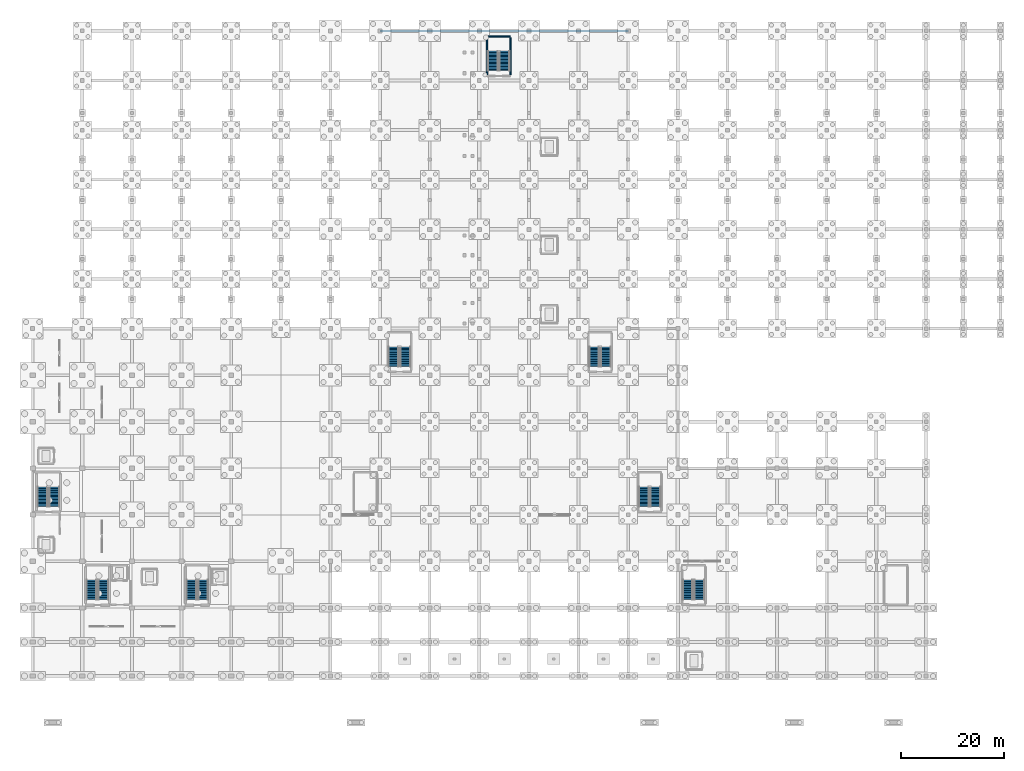
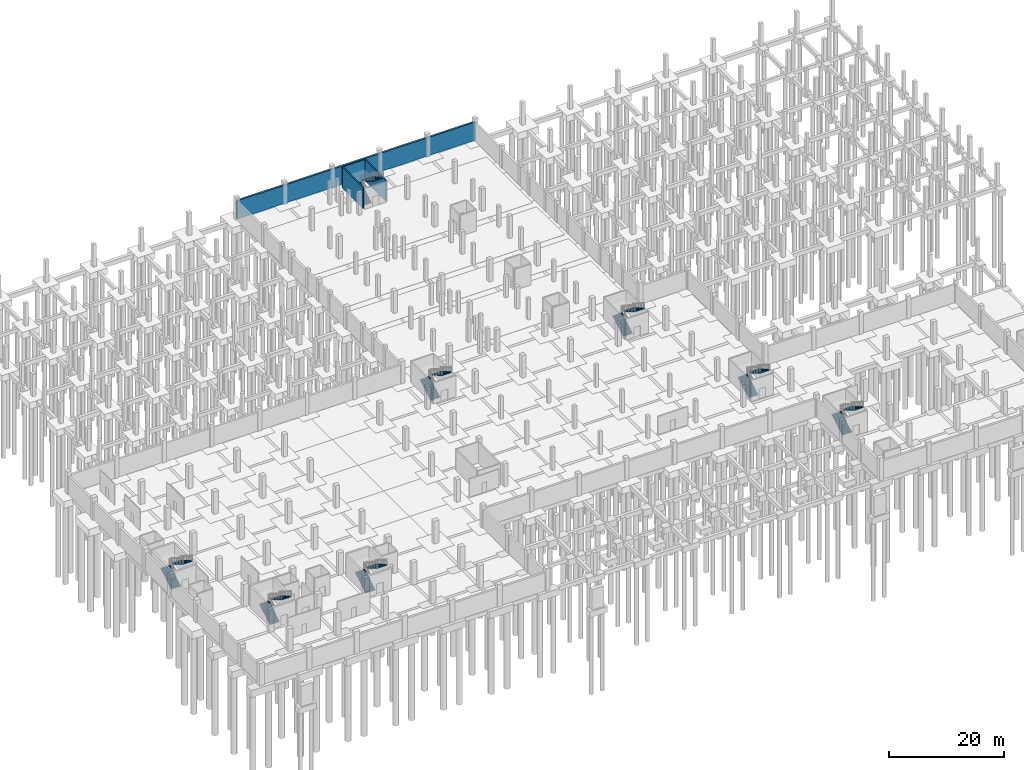
# One storey, part 32 of 39: 16 stair flights, 4 walls, 8 elements without a shape of their own.
"""IFC4 building model written with IfcOpenShell, lengths in metres."""

from ifc_helpers import new_model, si_unit, direction, frame, frame_2d, origin, place, context, subcontext, project, spatial, polyline, rectangle, outline, extrude, material, layer, layer_set, type_object, element, aggregate, save


model = new_model("IFC4")

# Units and contexts
model_context = context("Model", 3, precision=1e-05, world=origin(), true_north=direction((0.0, 1.0)))
body_context = subcontext(model_context, "Body", "Model", "MODEL_VIEW")
ifc_project = project(units=[si_unit("LENGTHUNIT", "METRE"), si_unit("AREAUNIT", "SQUARE_METRE"), si_unit("VOLUMEUNIT", "CUBIC_METRE"), si_unit("PLANEANGLEUNIT", "RADIAN"), si_unit("MASSUNIT", "GRAM", prefix="KILO")], contexts=[model_context])

# Site, building, storey
site_placement = place(None, origin())
site = spatial("IfcSite", under=ifc_project, at=site_placement, CompositionType="ELEMENT")
building_placement = place(site_placement, origin())
building = spatial("IfcBuilding", under=site, at=building_placement, Name="Zarnetskaya Central Station", CompositionType="ELEMENT")
storey_placement = place(building_placement, frame((0.0, 0.0, -4.800048828125)))
storey = spatial("IfcBuildingStorey", under=building, at=storey_placement, Name="B1", CompositionType="ELEMENT", Elevation=-4.800048828125)

# Walls
ifc_material_1 = material(Name="Concrete C35/45", Category="concrete")
ifc_layer_1 = layer(ifc_material_1, 0.39990234375, Name="Concrete C35/45", Category="concrete")
ifc_layer_set_1 = layer_set([ifc_layer_1], Name="Concrete C35/45")
wall_type_1 = type_object("IfcWallType", Name="WALL-RET-400", PredefinedType="USERDEFINED", material=ifc_layer_set_1)
wall_1_placement = place(storey_placement, frame((67.199951171875, 124.800048828125, 0.0), z_axis=(0.0, 0.0, 1.0), x_axis=(1.0, 0.0, 0.0)))
element("IfcWall", 1, at=wall_1_placement, inside=storey, type_object=wall_type_1, Name="Basement perimeter retaining wall 04", ObjectType="RETAININGWALL", PredefinedType="USERDEFINED", context=body_context, shape_type="SweptSolid", body=[
    extrude(rectangle(XDim=48.0, YDim=0.39990234375, at=frame_2d((24.0, 0.0))), origin(), (0.0, 0.0, 1.0), 3.880126953125),
])
ifc_layer_2 = layer(ifc_material_1, 0.239990234375, Name="Concrete C35/45", Category="concrete")
ifc_layer_set_2 = layer_set([ifc_layer_2], Name="Concrete C35/45")
wall_type_2 = type_object("IfcWallType", Name="WALL-SHFT-240", PredefinedType="SHEAR", material=ifc_layer_set_2)
wall_2_placement = place(storey_placement, frame((87.8798828125, 123.719970703125, 0.0), z_axis=(0.0, 0.0, 1.0), x_axis=(1.0, 0.0, 0.0)))
element("IfcWall", 2, at=wall_2_placement, inside=storey, type_object=wall_type_2, Name="Core shear wall WSTR-B1-0318", PredefinedType="SHEAR", context=body_context, shape_type="SweptSolid", body=[
    extrude(rectangle(XDim=4.5400390625, YDim=0.239990234375, at=frame_2d((2.27001953125, 0.0))), origin(), (0.0, 0.0, 1.0), 4.47998046875),
])
for number, where, z_axis, x_axis, name in (
    (3, (87.8798828125, 116.320068359375, 0.0), (0.0, 0.0, 1.0), (0.0, 1.0, 0.0), "Core shear wall WSTR-B1-0319"),
    (4, (92.419921875, 123.47998046875, 0.0), (0.0, 0.0, 1.0), (0.0, -1.0, 0.0), "Core shear wall WSTR-B1-0320"),
):
    element("IfcWall", number, at=place(storey_placement, frame(where, z_axis=z_axis, x_axis=x_axis)), inside=storey, type_object=wall_type_2, Name=name, PredefinedType="SHEAR", context=body_context, shape_type="SweptSolid", body=[
        extrude(rectangle(XDim=7.159912109375, YDim=0.239990234375, at=frame_2d((3.580078125, 0.0))), origin(), (0.0, 0.0, 1.0), 4.47998046875),
    ])

# Stair, stair flights
ifc_material_2 = material(Name="Concrete C30/37", Category="concrete")
stair_type_1 = type_object("IfcStairType", Name="STAIR-ASSY-01", PredefinedType="HALF_TURN_STAIR", material=ifc_material_2)
stair_1_placement = place(storey_placement, origin())
stair_1 = element("IfcStair", 5, at=stair_1_placement, inside=storey, type_object=stair_type_1, Name="Exit Stair ST-C1 B1", PredefinedType="HALF_TURN_STAIR")
stair_flight_type_1 = type_object("IfcStairFlightType", Name="FLT-TYPE-01", PredefinedType="STRAIGHT", material=ifc_material_2)
stair_flight_1_placement = place(storey_placement, frame((11.39990234375, 14.800048828125, 0.0), z_axis=(0.0, 0.0, 1.0), x_axis=(0.0, 1.0, 0.0)))
stair_flight_1 = element("IfcStairFlight", 6, at=stair_flight_1_placement, type_object=stair_flight_type_1, Name="ST-03 flight 1", NumberOfRisers=15, NumberOfTreads=14, PredefinedType="STRAIGHT", RiserHeight=0.16, TreadLength=0.27, context=body_context, shape_type="SweptSolid", body=[
    extrude(outline(polyline([(0.0, 0.0), (0.0, 0.159912109375), (0.27001953125, 0.159912109375), (0.27001953125, 0.320068359375), (0.5400390625, 0.320068359375), (0.5400390625, 0.47998046875), (0.81005859375, 0.47998046875), (0.81005859375, 0.639892578125), (1.080078125, 0.639892578125), (1.080078125, 0.800048828125), (1.35009765625, 0.800048828125), (1.35009765625, 0.9599609375), (1.6201171875, 0.9599609375), (1.6201171875, 1.1201171875), (1.889892578125, 1.1201171875), (1.889892578125, 1.280029296875), (2.159912109375, 1.280029296875), (2.159912109375, 1.43994140625), (2.429931640625, 1.43994140625), (2.429931640625, 1.60009765625), (2.699951171875, 1.60009765625), (2.699951171875, 1.760009765625), (2.969970703125, 1.760009765625), (2.969970703125, 1.919921875), (3.239990234375, 1.919921875), (3.239990234375, 2.080078125), (3.510009765625, 2.080078125), (3.510009765625, 2.239990234375), (3.780029296875, 2.239990234375), (3.780029296875, 2.39990234375), (3.780029296875, 2.065673828125), (0.2939453125, 0.0), (0.0, 0.0)])), frame((0.0, 0.9599609375, 0.0), z_axis=(0.0, -1.0, 0.0), x_axis=(1.0, 0.0, 0.0)), (0.0, 0.0, 1.0), 1.919921875),
])
stair_flight_2_placement = place(storey_placement, frame((13.699951171875, 18.580078125, 2.400146484375), z_axis=(0.0, 0.0, 1.0), x_axis=(0.0, -1.0, 0.0)))
stair_flight_2 = element("IfcStairFlight", 7, at=stair_flight_2_placement, type_object=stair_flight_type_1, Name="ST-03 flight 2", NumberOfRisers=15, NumberOfTreads=14, PredefinedType="STRAIGHT", RiserHeight=0.16, TreadLength=0.27, context=body_context, shape_type="SweptSolid", body=[
    extrude(outline(polyline([(0.0, 0.0), (0.0, 0.159912109375), (0.27001953125, 0.159912109375), (0.27001953125, 0.320068359375), (0.5400390625, 0.320068359375), (0.5400390625, 0.47998046875), (0.81005859375, 0.47998046875), (0.81005859375, 0.639892578125), (1.080078125, 0.639892578125), (1.080078125, 0.800048828125), (1.35009765625, 0.800048828125), (1.35009765625, 0.9599609375), (1.6201171875, 0.9599609375), (1.6201171875, 1.1201171875), (1.889892578125, 1.1201171875), (1.889892578125, 1.280029296875), (2.159912109375, 1.280029296875), (2.159912109375, 1.43994140625), (2.429931640625, 1.43994140625), (2.429931640625, 1.60009765625), (2.699951171875, 1.60009765625), (2.699951171875, 1.760009765625), (2.969970703125, 1.760009765625), (2.969970703125, 1.919921875), (3.239990234375, 1.919921875), (3.239990234375, 2.080078125), (3.510009765625, 2.080078125), (3.510009765625, 2.239990234375), (3.780029296875, 2.239990234375), (3.780029296875, 2.39990234375), (3.780029296875, 2.065673828125), (0.2939453125, 0.0), (0.0, 0.0)])), frame((0.0, 0.9599609375, 0.0), z_axis=(0.0, -1.0, 0.0), x_axis=(1.0, 0.0, 0.0)), (0.0, 0.0, 1.0), 1.919921875),
])
aggregate(stair_1, [stair_flight_1, stair_flight_2])

stair_type_2 = type_object("IfcStairType", Name="STAIR-ASSY-02", PredefinedType="HALF_TURN_STAIR", material=ifc_material_2)
stair_2_placement = place(storey_placement, origin())
stair_2 = element("IfcStair", 8, at=stair_2_placement, inside=storey, type_object=stair_type_2, Name="Exit Stair ST-C2 B1", PredefinedType="HALF_TURN_STAIR")
stair_flight_type_2 = type_object("IfcStairFlightType", Name="FLT-TYPE-02", PredefinedType="STRAIGHT", material=ifc_material_2)
stair_flight_3_placement = place(storey_placement, frame((1.89990234375, 32.800048828125, 0.0), z_axis=(0.0, 0.0, 1.0), x_axis=(0.0, 1.0, 0.0)))
stair_flight_3 = element("IfcStairFlight", 9, at=stair_flight_3_placement, type_object=stair_flight_type_2, Name="ST-07 flight 1", NumberOfRisers=15, NumberOfTreads=14, PredefinedType="STRAIGHT", RiserHeight=0.16, TreadLength=0.27, context=body_context, shape_type="SweptSolid", body=[
    extrude(outline(polyline([(0.0, 0.0), (0.0, 0.159912109375), (0.27001953125, 0.159912109375), (0.27001953125, 0.320068359375), (0.5400390625, 0.320068359375), (0.5400390625, 0.47998046875), (0.81005859375, 0.47998046875), (0.81005859375, 0.639892578125), (1.080078125, 0.639892578125), (1.080078125, 0.800048828125), (1.35009765625, 0.800048828125), (1.35009765625, 0.9599609375), (1.6201171875, 0.9599609375), (1.6201171875, 1.1201171875), (1.889892578125, 1.1201171875), (1.889892578125, 1.280029296875), (2.159912109375, 1.280029296875), (2.159912109375, 1.43994140625), (2.429931640625, 1.43994140625), (2.429931640625, 1.60009765625), (2.699951171875, 1.60009765625), (2.699951171875, 1.760009765625), (2.969970703125, 1.760009765625), (2.969970703125, 1.919921875), (3.239990234375, 1.919921875), (3.239990234375, 2.080078125), (3.510009765625, 2.080078125), (3.510009765625, 2.239990234375), (3.780029296875, 2.239990234375), (3.780029296875, 2.39990234375), (3.780029296875, 2.065673828125), (0.2939453125, 0.0), (0.0, 0.0)])), frame((0.0, 0.9599609375, 0.0), z_axis=(0.0, -1.0, 0.0), x_axis=(1.0, 0.0, 0.0)), (0.0, 0.0, 1.0), 1.919921875),
])
stair_flight_4_placement = place(storey_placement, frame((4.199951171875, 36.580078125, 2.400146484375), z_axis=(0.0, 0.0, 1.0), x_axis=(0.0, -1.0, 0.0)))
stair_flight_4 = element("IfcStairFlight", 10, at=stair_flight_4_placement, type_object=stair_flight_type_2, Name="ST-07 flight 2", NumberOfRisers=15, NumberOfTreads=14, PredefinedType="STRAIGHT", RiserHeight=0.16, TreadLength=0.27, context=body_context, shape_type="SweptSolid", body=[
    extrude(outline(polyline([(0.0, 0.0), (0.0, 0.159912109375), (0.27001953125, 0.159912109375), (0.27001953125, 0.320068359375), (0.5400390625, 0.320068359375), (0.5400390625, 0.47998046875), (0.81005859375, 0.47998046875), (0.81005859375, 0.639892578125), (1.080078125, 0.639892578125), (1.080078125, 0.800048828125), (1.35009765625, 0.800048828125), (1.35009765625, 0.9599609375), (1.6201171875, 0.9599609375), (1.6201171875, 1.1201171875), (1.889892578125, 1.1201171875), (1.889892578125, 1.280029296875), (2.159912109375, 1.280029296875), (2.159912109375, 1.43994140625), (2.429931640625, 1.43994140625), (2.429931640625, 1.60009765625), (2.699951171875, 1.60009765625), (2.699951171875, 1.760009765625), (2.969970703125, 1.760009765625), (2.969970703125, 1.919921875), (3.239990234375, 1.919921875), (3.239990234375, 2.080078125), (3.510009765625, 2.080078125), (3.510009765625, 2.239990234375), (3.780029296875, 2.239990234375), (3.780029296875, 2.39990234375), (3.780029296875, 2.065673828125), (0.2939453125, 0.0), (0.0, 0.0)])), frame((0.0, 0.9599609375, 0.0), z_axis=(0.0, -1.0, 0.0), x_axis=(1.0, 0.0, 0.0)), (0.0, 0.0, 1.0), 1.919921875),
])
aggregate(stair_2, [stair_flight_3, stair_flight_4])

stair_type_3 = type_object("IfcStairType", Name="STAIR-ASSY-03", PredefinedType="HALF_TURN_STAIR", material=ifc_material_2)
stair_3_placement = place(storey_placement, origin())
stair_3 = element("IfcStair", 11, at=stair_3_placement, inside=storey, type_object=stair_type_3, Name="Exit Stair ST-C3 B1", PredefinedType="HALF_TURN_STAIR")
stair_flight_type_3 = type_object("IfcStairFlightType", Name="FLT-TYPE-03", PredefinedType="STRAIGHT", material=ifc_material_2)
stair_flight_5_placement = place(storey_placement, frame((30.699951171875, 14.800048828125, 0.0), z_axis=(0.0, 0.0, 1.0), x_axis=(0.0, 1.0, 0.0)))
stair_flight_5 = element("IfcStairFlight", 12, at=stair_flight_5_placement, type_object=stair_flight_type_3, Name="ST-04 flight 1", NumberOfRisers=15, NumberOfTreads=14, PredefinedType="STRAIGHT", RiserHeight=0.16, TreadLength=0.27, context=body_context, shape_type="SweptSolid", body=[
    extrude(outline(polyline([(0.0, 0.0), (0.0, 0.159912109375), (0.27001953125, 0.159912109375), (0.27001953125, 0.320068359375), (0.5400390625, 0.320068359375), (0.5400390625, 0.47998046875), (0.81005859375, 0.47998046875), (0.81005859375, 0.639892578125), (1.080078125, 0.639892578125), (1.080078125, 0.800048828125), (1.35009765625, 0.800048828125), (1.35009765625, 0.9599609375), (1.6201171875, 0.9599609375), (1.6201171875, 1.1201171875), (1.889892578125, 1.1201171875), (1.889892578125, 1.280029296875), (2.159912109375, 1.280029296875), (2.159912109375, 1.43994140625), (2.429931640625, 1.43994140625), (2.429931640625, 1.60009765625), (2.699951171875, 1.60009765625), (2.699951171875, 1.760009765625), (2.969970703125, 1.760009765625), (2.969970703125, 1.919921875), (3.239990234375, 1.919921875), (3.239990234375, 2.080078125), (3.510009765625, 2.080078125), (3.510009765625, 2.239990234375), (3.780029296875, 2.239990234375), (3.780029296875, 2.39990234375), (3.780029296875, 2.065673828125), (0.2939453125, 0.0), (0.0, 0.0)])), frame((0.0, 0.9599609375, 0.0), z_axis=(0.0, -1.0, 0.0), x_axis=(1.0, 0.0, 0.0)), (0.0, 0.0, 1.0), 1.919921875),
])
stair_flight_6_placement = place(storey_placement, frame((33.0, 18.580078125, 2.400146484375), z_axis=(0.0, 0.0, 1.0), x_axis=(0.0, -1.0, 0.0)))
stair_flight_6 = element("IfcStairFlight", 13, at=stair_flight_6_placement, type_object=stair_flight_type_3, Name="ST-04 flight 2", NumberOfRisers=15, NumberOfTreads=14, PredefinedType="STRAIGHT", RiserHeight=0.16, TreadLength=0.27, context=body_context, shape_type="SweptSolid", body=[
    extrude(outline(polyline([(0.0, 0.0), (0.0, 0.159912109375), (0.27001953125, 0.159912109375), (0.27001953125, 0.320068359375), (0.5400390625, 0.320068359375), (0.5400390625, 0.47998046875), (0.81005859375, 0.47998046875), (0.81005859375, 0.639892578125), (1.080078125, 0.639892578125), (1.080078125, 0.800048828125), (1.35009765625, 0.800048828125), (1.35009765625, 0.9599609375), (1.6201171875, 0.9599609375), (1.6201171875, 1.1201171875), (1.889892578125, 1.1201171875), (1.889892578125, 1.280029296875), (2.159912109375, 1.280029296875), (2.159912109375, 1.43994140625), (2.429931640625, 1.43994140625), (2.429931640625, 1.60009765625), (2.699951171875, 1.60009765625), (2.699951171875, 1.760009765625), (2.969970703125, 1.760009765625), (2.969970703125, 1.919921875), (3.239990234375, 1.919921875), (3.239990234375, 2.080078125), (3.510009765625, 2.080078125), (3.510009765625, 2.239990234375), (3.780029296875, 2.239990234375), (3.780029296875, 2.39990234375), (3.780029296875, 2.065673828125), (0.2939453125, 0.0), (0.0, 0.0)])), frame((0.0, 0.9599609375, 0.0), z_axis=(0.0, -1.0, 0.0), x_axis=(1.0, 0.0, 0.0)), (0.0, 0.0, 1.0), 1.919921875),
])
aggregate(stair_3, [stair_flight_5, stair_flight_6])

stair_type_4 = type_object("IfcStairType", Name="STAIR-ASSY-05", PredefinedType="HALF_TURN_STAIR", material=ifc_material_2)
stair_4_placement = place(storey_placement, origin())
stair_4 = element("IfcStair", 14, at=stair_4_placement, inside=storey, type_object=stair_type_4, Name="Exit Stair ST-V1 B1", PredefinedType="HALF_TURN_STAIR")
stair_flight_type_4 = type_object("IfcStairFlightType", Name="FLT-TYPE-05", PredefinedType="STRAIGHT", material=ifc_material_2)
stair_flight_7_placement = place(storey_placement, frame((126.699951171875, 14.800048828125, 0.0), z_axis=(0.0, 0.0, 1.0), x_axis=(0.0, 1.0, 0.0)))
stair_flight_7 = element("IfcStairFlight", 15, at=stair_flight_7_placement, type_object=stair_flight_type_4, Name="ST-06 flight 1", NumberOfRisers=15, NumberOfTreads=14, PredefinedType="STRAIGHT", RiserHeight=0.16, TreadLength=0.27, context=body_context, shape_type="SweptSolid", body=[
    extrude(outline(polyline([(0.0, 0.0), (0.0, 0.159912109375), (0.27001953125, 0.159912109375), (0.27001953125, 0.320068359375), (0.5400390625, 0.320068359375), (0.5400390625, 0.47998046875), (0.81005859375, 0.47998046875), (0.81005859375, 0.639892578125), (1.080078125, 0.639892578125), (1.080078125, 0.800048828125), (1.35009765625, 0.800048828125), (1.35009765625, 0.9599609375), (1.6201171875, 0.9599609375), (1.6201171875, 1.1201171875), (1.889892578125, 1.1201171875), (1.889892578125, 1.280029296875), (2.159912109375, 1.280029296875), (2.159912109375, 1.43994140625), (2.429931640625, 1.43994140625), (2.429931640625, 1.60009765625), (2.699951171875, 1.60009765625), (2.699951171875, 1.760009765625), (2.969970703125, 1.760009765625), (2.969970703125, 1.919921875), (3.239990234375, 1.919921875), (3.239990234375, 2.080078125), (3.510009765625, 2.080078125), (3.510009765625, 2.239990234375), (3.780029296875, 2.239990234375), (3.780029296875, 2.39990234375), (3.780029296875, 2.065673828125), (0.2939453125, 0.0), (0.0, 0.0)])), frame((0.0, 0.9599609375, 0.0), z_axis=(0.0, -1.0, 0.0), x_axis=(1.0, 0.0, 0.0)), (0.0, 0.0, 1.0), 1.919921875),
])
stair_flight_8_placement = place(storey_placement, frame((129.0, 18.580078125, 2.400146484375), z_axis=(0.0, 0.0, 1.0), x_axis=(0.0, -1.0, 0.0)))
stair_flight_8 = element("IfcStairFlight", 16, at=stair_flight_8_placement, type_object=stair_flight_type_4, Name="ST-06 flight 2", NumberOfRisers=15, NumberOfTreads=14, PredefinedType="STRAIGHT", RiserHeight=0.16, TreadLength=0.27, context=body_context, shape_type="SweptSolid", body=[
    extrude(outline(polyline([(0.0, 0.0), (0.0, 0.159912109375), (0.27001953125, 0.159912109375), (0.27001953125, 0.320068359375), (0.5400390625, 0.320068359375), (0.5400390625, 0.47998046875), (0.81005859375, 0.47998046875), (0.81005859375, 0.639892578125), (1.080078125, 0.639892578125), (1.080078125, 0.800048828125), (1.35009765625, 0.800048828125), (1.35009765625, 0.9599609375), (1.6201171875, 0.9599609375), (1.6201171875, 1.1201171875), (1.889892578125, 1.1201171875), (1.889892578125, 1.280029296875), (2.159912109375, 1.280029296875), (2.159912109375, 1.43994140625), (2.429931640625, 1.43994140625), (2.429931640625, 1.60009765625), (2.699951171875, 1.60009765625), (2.699951171875, 1.760009765625), (2.969970703125, 1.760009765625), (2.969970703125, 1.919921875), (3.239990234375, 1.919921875), (3.239990234375, 2.080078125), (3.510009765625, 2.080078125), (3.510009765625, 2.239990234375), (3.780029296875, 2.239990234375), (3.780029296875, 2.39990234375), (3.780029296875, 2.065673828125), (0.2939453125, 0.0), (0.0, 0.0)])), frame((0.0, 0.9599609375, 0.0), z_axis=(0.0, -1.0, 0.0), x_axis=(1.0, 0.0, 0.0)), (0.0, 0.0, 1.0), 1.919921875),
])
aggregate(stair_4, [stair_flight_7, stair_flight_8])

stair_type_5 = type_object("IfcStairType", Name="STAIR-ASSY-06", PredefinedType="HALF_TURN_STAIR", material=ifc_material_2)
stair_5_placement = place(storey_placement, origin())
stair_5 = element("IfcStair", 17, at=stair_5_placement, inside=storey, type_object=stair_type_5, Name="Exit Stair ST-U1 B1", PredefinedType="HALF_TURN_STAIR")
stair_flight_type_5 = type_object("IfcStairFlightType", Name="FLT-TYPE-06", PredefinedType="STRAIGHT", material=ifc_material_2)
stair_flight_9_placement = place(storey_placement, frame((69.800048828125, 59.89990234375, 0.0), z_axis=(0.0, 0.0, 1.0), x_axis=(0.0, 1.0, 0.0)))
stair_flight_9 = element("IfcStairFlight", 18, at=stair_flight_9_placement, type_object=stair_flight_type_5, Name="ST-01 flight 1", NumberOfRisers=15, NumberOfTreads=14, PredefinedType="STRAIGHT", RiserHeight=0.16, TreadLength=0.27, context=body_context, shape_type="SweptSolid", body=[
    extrude(outline(polyline([(0.0, 0.0), (0.0, 0.159912109375), (0.27001953125, 0.159912109375), (0.27001953125, 0.320068359375), (0.5400390625, 0.320068359375), (0.5400390625, 0.47998046875), (0.81005859375, 0.47998046875), (0.81005859375, 0.639892578125), (1.080078125, 0.639892578125), (1.080078125, 0.800048828125), (1.35009765625, 0.800048828125), (1.35009765625, 0.9599609375), (1.6201171875, 0.9599609375), (1.6201171875, 1.1201171875), (1.889892578125, 1.1201171875), (1.889892578125, 1.280029296875), (2.159912109375, 1.280029296875), (2.159912109375, 1.43994140625), (2.429931640625, 1.43994140625), (2.429931640625, 1.60009765625), (2.699951171875, 1.60009765625), (2.699951171875, 1.760009765625), (2.969970703125, 1.760009765625), (2.969970703125, 1.919921875), (3.239990234375, 1.919921875), (3.239990234375, 2.080078125), (3.510009765625, 2.080078125), (3.510009765625, 2.239990234375), (3.780029296875, 2.239990234375), (3.780029296875, 2.39990234375), (3.780029296875, 2.065673828125), (0.2939453125, 0.0), (0.0, 0.0)])), frame((0.0, 0.9599609375, 0.0), z_axis=(0.0, -1.0, 0.0), x_axis=(1.0, 0.0, 0.0)), (0.0, 0.0, 1.0), 1.919921875),
])
stair_flight_10_placement = place(storey_placement, frame((72.10009765625, 63.679931640625, 2.400146484375), z_axis=(0.0, 0.0, 1.0), x_axis=(0.0, -1.0, 0.0)))
stair_flight_10 = element("IfcStairFlight", 19, at=stair_flight_10_placement, type_object=stair_flight_type_5, Name="ST-01 flight 2", NumberOfRisers=15, NumberOfTreads=14, PredefinedType="STRAIGHT", RiserHeight=0.16, TreadLength=0.27, context=body_context, shape_type="SweptSolid", body=[
    extrude(outline(polyline([(0.0, 0.0), (0.0, 0.159912109375), (0.27001953125, 0.159912109375), (0.27001953125, 0.320068359375), (0.5400390625, 0.320068359375), (0.5400390625, 0.47998046875), (0.81005859375, 0.47998046875), (0.81005859375, 0.639892578125), (1.080078125, 0.639892578125), (1.080078125, 0.800048828125), (1.35009765625, 0.800048828125), (1.35009765625, 0.9599609375), (1.6201171875, 0.9599609375), (1.6201171875, 1.1201171875), (1.889892578125, 1.1201171875), (1.889892578125, 1.280029296875), (2.159912109375, 1.280029296875), (2.159912109375, 1.43994140625), (2.429931640625, 1.43994140625), (2.429931640625, 1.60009765625), (2.699951171875, 1.60009765625), (2.699951171875, 1.760009765625), (2.969970703125, 1.760009765625), (2.969970703125, 1.919921875), (3.239990234375, 1.919921875), (3.239990234375, 2.080078125), (3.510009765625, 2.080078125), (3.510009765625, 2.239990234375), (3.780029296875, 2.239990234375), (3.780029296875, 2.39990234375), (3.780029296875, 2.065673828125), (0.2939453125, 0.0), (0.0, 0.0)])), frame((0.0, 0.9599609375, 0.0), z_axis=(0.0, -1.0, 0.0), x_axis=(1.0, 0.0, 0.0)), (0.0, 0.0, 1.0), 1.919921875),
])
aggregate(stair_5, [stair_flight_9, stair_flight_10])

stair_type_6 = type_object("IfcStairType", Name="STAIR-ASSY-07", PredefinedType="HALF_TURN_STAIR", material=ifc_material_2)
stair_6_placement = place(storey_placement, origin())
stair_6 = element("IfcStair", 20, at=stair_6_placement, inside=storey, type_object=stair_type_6, Name="Exit Stair ST-U2 B1", PredefinedType="HALF_TURN_STAIR")
stair_flight_type_6 = type_object("IfcStairFlightType", Name="FLT-TYPE-07", PredefinedType="STRAIGHT", material=ifc_material_2)
stair_flight_11_placement = place(storey_placement, frame((108.60009765625, 59.89990234375, 0.0), z_axis=(0.0, 0.0, 1.0), x_axis=(0.0, 1.0, 0.0)))
stair_flight_11 = element("IfcStairFlight", 21, at=stair_flight_11_placement, type_object=stair_flight_type_6, Name="ST-02 flight 1", NumberOfRisers=15, NumberOfTreads=14, PredefinedType="STRAIGHT", RiserHeight=0.16, TreadLength=0.27, context=body_context, shape_type="SweptSolid", body=[
    extrude(outline(polyline([(0.0, 0.0), (0.0, 0.159912109375), (0.27001953125, 0.159912109375), (0.27001953125, 0.320068359375), (0.5400390625, 0.320068359375), (0.5400390625, 0.47998046875), (0.81005859375, 0.47998046875), (0.81005859375, 0.639892578125), (1.080078125, 0.639892578125), (1.080078125, 0.800048828125), (1.35009765625, 0.800048828125), (1.35009765625, 0.9599609375), (1.6201171875, 0.9599609375), (1.6201171875, 1.1201171875), (1.889892578125, 1.1201171875), (1.889892578125, 1.280029296875), (2.159912109375, 1.280029296875), (2.159912109375, 1.43994140625), (2.429931640625, 1.43994140625), (2.429931640625, 1.60009765625), (2.699951171875, 1.60009765625), (2.699951171875, 1.760009765625), (2.969970703125, 1.760009765625), (2.969970703125, 1.919921875), (3.239990234375, 1.919921875), (3.239990234375, 2.080078125), (3.510009765625, 2.080078125), (3.510009765625, 2.239990234375), (3.780029296875, 2.239990234375), (3.780029296875, 2.39990234375), (3.780029296875, 2.065673828125), (0.2939453125, 0.0), (0.0, 0.0)])), frame((0.0, 0.9599609375, 0.0), z_axis=(0.0, -1.0, 0.0), x_axis=(1.0, 0.0, 0.0)), (0.0, 0.0, 1.0), 1.919921875),
])
stair_flight_12_placement = place(storey_placement, frame((110.89990234375, 63.679931640625, 2.400146484375), z_axis=(0.0, 0.0, 1.0), x_axis=(0.0, -1.0, 0.0)))
stair_flight_12 = element("IfcStairFlight", 22, at=stair_flight_12_placement, type_object=stair_flight_type_6, Name="ST-02 flight 2", NumberOfRisers=15, NumberOfTreads=14, PredefinedType="STRAIGHT", RiserHeight=0.16, TreadLength=0.27, context=body_context, shape_type="SweptSolid", body=[
    extrude(outline(polyline([(0.0, 0.0), (0.0, 0.159912109375), (0.27001953125, 0.159912109375), (0.27001953125, 0.320068359375), (0.5400390625, 0.320068359375), (0.5400390625, 0.47998046875), (0.81005859375, 0.47998046875), (0.81005859375, 0.639892578125), (1.080078125, 0.639892578125), (1.080078125, 0.800048828125), (1.35009765625, 0.800048828125), (1.35009765625, 0.9599609375), (1.6201171875, 0.9599609375), (1.6201171875, 1.1201171875), (1.889892578125, 1.1201171875), (1.889892578125, 1.280029296875), (2.159912109375, 1.280029296875), (2.159912109375, 1.43994140625), (2.429931640625, 1.43994140625), (2.429931640625, 1.60009765625), (2.699951171875, 1.60009765625), (2.699951171875, 1.760009765625), (2.969970703125, 1.760009765625), (2.969970703125, 1.919921875), (3.239990234375, 1.919921875), (3.239990234375, 2.080078125), (3.510009765625, 2.080078125), (3.510009765625, 2.239990234375), (3.780029296875, 2.239990234375), (3.780029296875, 2.39990234375), (3.780029296875, 2.065673828125), (0.2939453125, 0.0), (0.0, 0.0)])), frame((0.0, 0.9599609375, 0.0), z_axis=(0.0, -1.0, 0.0), x_axis=(1.0, 0.0, 0.0)), (0.0, 0.0, 1.0), 1.919921875),
])
aggregate(stair_6, [stair_flight_11, stair_flight_12])

stair_type_7 = type_object("IfcStairType", Name="STAIR-ASSY-08", PredefinedType="HALF_TURN_STAIR", material=ifc_material_2)
stair_7_placement = place(storey_placement, origin())
stair_7 = element("IfcStair", 23, at=stair_7_placement, inside=storey, type_object=stair_type_7, Name="Exit Stair ST-B1 B1", PredefinedType="HALF_TURN_STAIR")
stair_flight_type_7 = type_object("IfcStairFlightType", Name="FLT-TYPE-08", PredefinedType="STRAIGHT", material=ifc_material_2)
stair_flight_13_placement = place(storey_placement, frame((89.0, 117.10009765625, 0.0), z_axis=(0.0, 0.0, 1.0), x_axis=(0.0, 1.0, 0.0)))
stair_flight_13 = element("IfcStairFlight", 24, at=stair_flight_13_placement, type_object=stair_flight_type_7, Name="ST-05 flight 1", NumberOfRisers=15, NumberOfTreads=14, PredefinedType="STRAIGHT", RiserHeight=0.16, TreadLength=0.27, context=body_context, shape_type="SweptSolid", body=[
    extrude(outline(polyline([(0.0, 0.0), (0.0, 0.159912109375), (0.27001953125, 0.159912109375), (0.27001953125, 0.320068359375), (0.5400390625, 0.320068359375), (0.5400390625, 0.47998046875), (0.81005859375, 0.47998046875), (0.81005859375, 0.639892578125), (1.080078125, 0.639892578125), (1.080078125, 0.800048828125), (1.35009765625, 0.800048828125), (1.35009765625, 0.9599609375), (1.6201171875, 0.9599609375), (1.6201171875, 1.1201171875), (1.889892578125, 1.1201171875), (1.889892578125, 1.280029296875), (2.159912109375, 1.280029296875), (2.159912109375, 1.43994140625), (2.429931640625, 1.43994140625), (2.429931640625, 1.60009765625), (2.699951171875, 1.60009765625), (2.699951171875, 1.760009765625), (2.969970703125, 1.760009765625), (2.969970703125, 1.919921875), (3.239990234375, 1.919921875), (3.239990234375, 2.080078125), (3.510009765625, 2.080078125), (3.510009765625, 2.239990234375), (3.780029296875, 2.239990234375), (3.780029296875, 2.39990234375), (3.780029296875, 2.065673828125), (0.2939453125, 0.0), (0.0, 0.0)])), frame((0.0, 0.9599609375, 0.0), z_axis=(0.0, -1.0, 0.0), x_axis=(1.0, 0.0, 0.0)), (0.0, 0.0, 1.0), 1.919921875),
])
stair_flight_14_placement = place(storey_placement, frame((91.300048828125, 120.8798828125, 2.400146484375), z_axis=(0.0, 0.0, 1.0), x_axis=(0.0, -1.0, 0.0)))
stair_flight_14 = element("IfcStairFlight", 25, at=stair_flight_14_placement, type_object=stair_flight_type_7, Name="ST-05 flight 2", NumberOfRisers=15, NumberOfTreads=14, PredefinedType="STRAIGHT", RiserHeight=0.16, TreadLength=0.27, context=body_context, shape_type="SweptSolid", body=[
    extrude(outline(polyline([(0.0, 0.0), (0.0, 0.159912109375), (0.27001953125, 0.159912109375), (0.27001953125, 0.320068359375), (0.5400390625, 0.320068359375), (0.5400390625, 0.47998046875), (0.81005859375, 0.47998046875), (0.81005859375, 0.639892578125), (1.080078125, 0.639892578125), (1.080078125, 0.800048828125), (1.35009765625, 0.800048828125), (1.35009765625, 0.9599609375), (1.6201171875, 0.9599609375), (1.6201171875, 1.1201171875), (1.889892578125, 1.1201171875), (1.889892578125, 1.280029296875), (2.159912109375, 1.280029296875), (2.159912109375, 1.43994140625), (2.429931640625, 1.43994140625), (2.429931640625, 1.60009765625), (2.699951171875, 1.60009765625), (2.699951171875, 1.760009765625), (2.969970703125, 1.760009765625), (2.969970703125, 1.919921875), (3.239990234375, 1.919921875), (3.239990234375, 2.080078125), (3.510009765625, 2.080078125), (3.510009765625, 2.239990234375), (3.780029296875, 2.239990234375), (3.780029296875, 2.39990234375), (3.780029296875, 2.065673828125), (0.2939453125, 0.0), (0.0, 0.0)])), frame((0.0, 0.9599609375, 0.0), z_axis=(0.0, -1.0, 0.0), x_axis=(1.0, 0.0, 0.0)), (0.0, 0.0, 1.0), 1.919921875),
])
aggregate(stair_7, [stair_flight_13, stair_flight_14])

stair_type_8 = type_object("IfcStairType", Name="STAIR-ASSY-09", PredefinedType="HALF_TURN_STAIR", material=ifc_material_2)
stair_8_placement = place(storey_placement, origin())
stair_8 = element("IfcStair", 26, at=stair_8_placement, inside=storey, type_object=stair_type_8, Name="Exit Stair ST-E1 B1", PredefinedType="HALF_TURN_STAIR")
stair_flight_type_8 = type_object("IfcStairFlightType", Name="FLT-TYPE-09", PredefinedType="STRAIGHT", material=ifc_material_2)
stair_flight_15_placement = place(storey_placement, frame((118.199951171875, 32.800048828125, 0.0), z_axis=(0.0, 0.0, 1.0), x_axis=(0.0, 1.0, 0.0)))
stair_flight_15 = element("IfcStairFlight", 27, at=stair_flight_15_placement, type_object=stair_flight_type_8, Name="ST-09 flight 1", NumberOfRisers=15, NumberOfTreads=14, PredefinedType="STRAIGHT", RiserHeight=0.16, TreadLength=0.27, context=body_context, shape_type="SweptSolid", body=[
    extrude(outline(polyline([(0.0, 0.0), (0.0, 0.159912109375), (0.27001953125, 0.159912109375), (0.27001953125, 0.320068359375), (0.5400390625, 0.320068359375), (0.5400390625, 0.47998046875), (0.81005859375, 0.47998046875), (0.81005859375, 0.639892578125), (1.080078125, 0.639892578125), (1.080078125, 0.800048828125), (1.35009765625, 0.800048828125), (1.35009765625, 0.9599609375), (1.6201171875, 0.9599609375), (1.6201171875, 1.1201171875), (1.889892578125, 1.1201171875), (1.889892578125, 1.280029296875), (2.159912109375, 1.280029296875), (2.159912109375, 1.43994140625), (2.429931640625, 1.43994140625), (2.429931640625, 1.60009765625), (2.699951171875, 1.60009765625), (2.699951171875, 1.760009765625), (2.969970703125, 1.760009765625), (2.969970703125, 1.919921875), (3.239990234375, 1.919921875), (3.239990234375, 2.080078125), (3.510009765625, 2.080078125), (3.510009765625, 2.239990234375), (3.780029296875, 2.239990234375), (3.780029296875, 2.39990234375), (3.780029296875, 2.065673828125), (0.2939453125, 0.0), (0.0, 0.0)])), frame((0.0, 0.9599609375, 0.0), z_axis=(0.0, -1.0, 0.0), x_axis=(1.0, 0.0, 0.0)), (0.0, 0.0, 1.0), 1.919921875),
])
stair_flight_16_placement = place(storey_placement, frame((120.5, 36.580078125, 2.400146484375), z_axis=(0.0, 0.0, 1.0), x_axis=(0.0, -1.0, 0.0)))
stair_flight_16 = element("IfcStairFlight", 28, at=stair_flight_16_placement, type_object=stair_flight_type_8, Name="ST-09 flight 2", NumberOfRisers=15, NumberOfTreads=14, PredefinedType="STRAIGHT", RiserHeight=0.16, TreadLength=0.27, context=body_context, shape_type="SweptSolid", body=[
    extrude(outline(polyline([(0.0, 0.0), (0.0, 0.159912109375), (0.27001953125, 0.159912109375), (0.27001953125, 0.320068359375), (0.5400390625, 0.320068359375), (0.5400390625, 0.47998046875), (0.81005859375, 0.47998046875), (0.81005859375, 0.639892578125), (1.080078125, 0.639892578125), (1.080078125, 0.800048828125), (1.35009765625, 0.800048828125), (1.35009765625, 0.9599609375), (1.6201171875, 0.9599609375), (1.6201171875, 1.1201171875), (1.889892578125, 1.1201171875), (1.889892578125, 1.280029296875), (2.159912109375, 1.280029296875), (2.159912109375, 1.43994140625), (2.429931640625, 1.43994140625), (2.429931640625, 1.60009765625), (2.699951171875, 1.60009765625), (2.699951171875, 1.760009765625), (2.969970703125, 1.760009765625), (2.969970703125, 1.919921875), (3.239990234375, 1.919921875), (3.239990234375, 2.080078125), (3.510009765625, 2.080078125), (3.510009765625, 2.239990234375), (3.780029296875, 2.239990234375), (3.780029296875, 2.39990234375), (3.780029296875, 2.065673828125), (0.2939453125, 0.0), (0.0, 0.0)])), frame((0.0, 0.9599609375, 0.0), z_axis=(0.0, -1.0, 0.0), x_axis=(1.0, 0.0, 0.0)), (0.0, 0.0, 1.0), 1.919921875),
])
aggregate(stair_8, [stair_flight_15, stair_flight_16])

save(model, "model.ifc")
